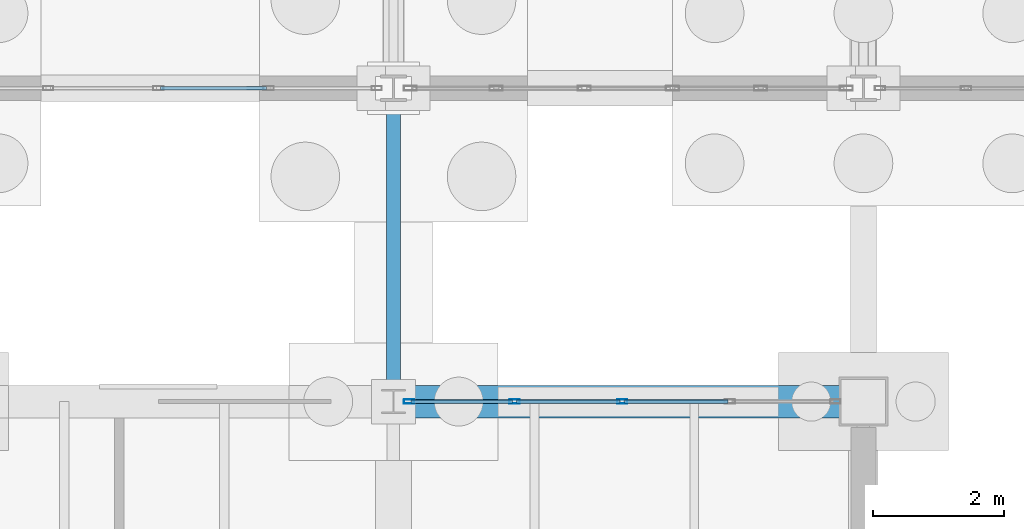
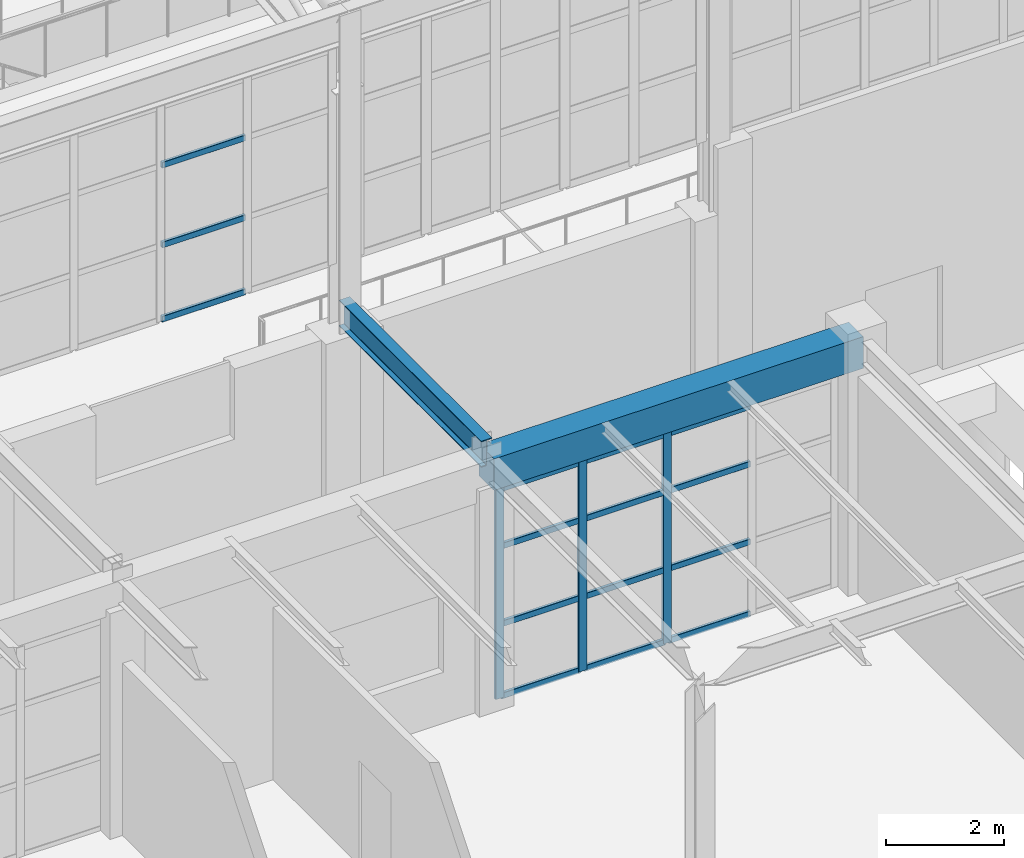
# One storey, part 110 of 293: 18 members, 2 beams, 2 elements without a shape of their own.
"""IFC4 building model written with IfcOpenShell, lengths in metres."""

from ifc_helpers import new_model, si_unit, direction, frame, origin, origin_2d, place, context, subcontext, project, spatial, rectangle, hollow_rectangle, i_section, extrude, material, layer, layer_set, material_profile, profile_set, type_object, element, aggregate, save


model = new_model("IFC4")

# Units and contexts
model_context = context("Model", 3, precision=1e-05, world=origin(), true_north=direction((0.0, 1.0)))
body_context = subcontext(model_context, "Body", "Model", "MODEL_VIEW")
ifc_project = project(units=[si_unit("LENGTHUNIT", "METRE"), si_unit("AREAUNIT", "SQUARE_METRE"), si_unit("VOLUMEUNIT", "CUBIC_METRE"), si_unit("PLANEANGLEUNIT", "RADIAN"), si_unit("MASSUNIT", "GRAM", prefix="KILO")], contexts=[model_context])

# Site, building, storey
site_placement = place(None, origin())
site = spatial("IfcSite", under=ifc_project, at=site_placement, CompositionType="ELEMENT")
building_placement = place(site_placement, origin())
building = spatial("IfcBuilding", under=site, at=building_placement, Name="Kemerveld Promenade Tramway Depot", CompositionType="ELEMENT")
storey_placement = place(building_placement, origin())
storey = spatial("IfcBuildingStorey", under=building, at=storey_placement, Name="L00", CompositionType="ELEMENT", Elevation=0.0)

# Beams
ifc_material_1 = material(Name="Steel S355", Category="steel")
ifc_material_profile_1 = material_profile(ifc_material_1, i_section(OverallWidth=0.2099609375, OverallDepth=0.53662109375, WebThickness=0.0107421875, FlangeThickness=0.017333984375, FilletRadius=0.0126953125, at=origin_2d()), Name="533x210x101 UB")
ifc_profile_set_1 = profile_set([ifc_material_profile_1], Name="Steel S355")
beam_type_1 = type_object("IfcBeamType", Name="BM-G05", PredefinedType="BEAM", material=ifc_profile_set_1)
beam_1_placement = place(storey_placement, frame((50.39990234375, 79.199951171875, 5.131591796875), z_axis=(0.0, 1.0, 0.0), x_axis=(-1.0, 0.0, 0.0)))
element("IfcBeam", 1, at=beam_1_placement, inside=storey, type_object=beam_type_1, Name="BM-LINK-08-MN", PredefinedType="BEAM", context=body_context, shape_type="SweptSolid", body=[
    extrude(i_section(OverallWidth=0.2099609375, OverallDepth=0.53662109375, WebThickness=0.0107421875, FlangeThickness=0.017333984375, FilletRadius=0.0126953125, at=origin_2d()), origin(), (0.0, 0.0, 1.0), 4.800048828125),
])
ifc_material_2 = material(Name="Concrete C40/50", Category="concrete")
ifc_material_profile_2 = material_profile(ifc_material_2, rectangle(XDim=0.5, YDim=0.64990234375, at=origin_2d()), Name="RC-PLINTH-500x650")
ifc_profile_set_2 = profile_set([ifc_material_profile_2], Name="Concrete C40/50")
beam_type_2 = type_object("IfcBeamType", Name="BM-PL1", PredefinedType="BEAM", material=ifc_profile_set_2)
beam_2_placement = place(storey_placement, frame((50.39990234375, 79.199951171875, 4.824951171875), z_axis=(1.0, 0.0, 0.0), x_axis=(0.0, 1.0, 0.0)))
element("IfcBeam", 2, at=beam_2_placement, inside=storey, type_object=beam_type_2, Name="BMX-L00-08-09-M", PredefinedType="BEAM", context=body_context, shape_type="SweptSolid", body=[
    extrude(rectangle(XDim=0.5, YDim=0.64990234375, at=origin_2d()), origin(), (0.0, 0.0, 1.0), 7.2001953125),
])

# Curtain wall, members
ifc_material_3 = material(Name="Bronze anodised aluminium and solar glass", Category="aluminium")
ifc_layer_1 = layer(ifc_material_3, 0.159912109375)
ifc_layer_set_1 = layer_set([ifc_layer_1], Name="CW-SYS-11")
curtain_wall_type_1 = type_object("IfcCurtainWallType", Name="CW-SYS-11", PredefinedType="USERDEFINED", material=ifc_layer_set_1)
curtain_wall_1_placement = place(storey_placement, origin())
curtain_wall_1 = element("IfcCurtainWall", 3, at=curtain_wall_1_placement, inside=storey, type_object=curtain_wall_type_1, Name="CW-L00-V5N-08", ObjectType="GLAZED_CURTAIN_WALL", PredefinedType="USERDEFINED")
ifc_material_4 = material(Name="Bronze anodised aluminium", Category="aluminium")
ifc_material_profile_3 = material_profile(ifc_material_4, hollow_rectangle(XDim=0.06494140625, YDim=0.159912109375, WallThickness=0.00390625, InnerFilletRadius=0.001953125, OuterFilletRadius=0.00390625, at=origin_2d()), Name="CW-MUL-160x65")
ifc_profile_set_3 = profile_set([ifc_material_profile_3], Name="Bronze anodised aluminium")
member_type_1 = type_object("IfcMemberType", Name="CW-MUL-A", PredefinedType="MULLION", material=ifc_profile_set_3)
member_1_placement = place(storey_placement, frame((50.638916015625, 79.199951171875, 0.0), z_axis=(0.0, 0.0, 1.0), x_axis=(0.0, 1.0, 0.0)))
member_1 = element("IfcMember", 4, at=member_1_placement, type_object=member_type_1, Name="CW11 mullion 1", PredefinedType="MULLION", context=body_context, shape_type="SweptSolid", body=[
    extrude(hollow_rectangle(XDim=0.06494140625, YDim=0.159912109375, WallThickness=0.00390625, InnerFilletRadius=0.001953125, OuterFilletRadius=0.00390625, at=origin_2d()), origin(), (0.0, 0.0, 1.0), 4.330078125),
])
member_2_placement = place(storey_placement, frame((52.255859375, 79.199951171875, 0.0), z_axis=(0.0, 0.0, 1.0), x_axis=(0.0, 1.0, 0.0)))
member_2 = element("IfcMember", 5, at=member_2_placement, type_object=member_type_1, Name="CW11 mullion 2", PredefinedType="MULLION", context=body_context, shape_type="SweptSolid", body=[
    extrude(hollow_rectangle(XDim=0.06494140625, YDim=0.159912109375, WallThickness=0.00390625, InnerFilletRadius=0.001953125, OuterFilletRadius=0.00390625, at=origin_2d()), origin(), (0.0, 0.0, 1.0), 4.330078125),
])
member_3_placement = place(storey_placement, frame((53.90576171875, 79.199951171875, 0.0), z_axis=(0.0, 0.0, 1.0), x_axis=(0.0, 1.0, 0.0)))
member_3 = element("IfcMember", 6, at=member_3_placement, type_object=member_type_1, Name="CW11 mullion 3", PredefinedType="MULLION", context=body_context, shape_type="SweptSolid", body=[
    extrude(hollow_rectangle(XDim=0.06494140625, YDim=0.159912109375, WallThickness=0.00390625, InnerFilletRadius=0.001953125, OuterFilletRadius=0.00390625, at=origin_2d()), origin(), (0.0, 0.0, 1.0), 4.330078125),
])

ifc_layer_2 = layer(ifc_material_3, 0.159912109375)
ifc_layer_set_2 = layer_set([ifc_layer_2], Name="CW-SYS-05")
curtain_wall_type_2 = type_object("IfcCurtainWallType", Name="CW-SYS-05", PredefinedType="USERDEFINED", material=ifc_layer_set_2)
curtain_wall_2_placement = place(storey_placement, origin())
curtain_wall_2 = element("IfcCurtainWall", 7, at=curtain_wall_2_placement, inside=storey, type_object=curtain_wall_type_2, Name="CW-V1-S-02", ObjectType="GLAZED_CURTAIN_WALL", PredefinedType="USERDEFINED")
ifc_material_profile_4 = material_profile(ifc_material_4, hollow_rectangle(XDim=0.06005859375, YDim=0.1201171875, WallThickness=0.00390625, InnerFilletRadius=0.001953125, OuterFilletRadius=0.00390625, at=origin_2d()), Name="CW-TRN-120x60")
ifc_profile_set_4 = profile_set([ifc_material_profile_4], Name="Bronze anodised aluminium")
member_type_2 = type_object("IfcMemberType", Name="CW-TRN-A", PredefinedType="USERDEFINED", material=ifc_profile_set_4)
member_4_placement = place(storey_placement, frame((48.455810546875, 84.0, 6.22998046875), z_axis=(-1.0, 0.0, 0.0), x_axis=(0.0, -1.0, 0.0)))
member_4 = element("IfcMember", 8, at=member_4_placement, type_object=member_type_2, Name="CW05 transom 2.1", ObjectType="TRANSOM", PredefinedType="USERDEFINED", context=body_context, shape_type="SweptSolid", body=[
    extrude(hollow_rectangle(XDim=0.06005859375, YDim=0.1201171875, WallThickness=0.00390625, InnerFilletRadius=0.001953125, OuterFilletRadius=0.00390625, at=origin_2d()), origin(), (0.0, 0.0, 1.0), 1.623291015625),
])
member_5_placement = place(storey_placement, frame((48.455810546875, 84.0, 7.758056640625), z_axis=(-1.0, 0.0, 0.0), x_axis=(0.0, -1.0, 0.0)))
member_5 = element("IfcMember", 9, at=member_5_placement, type_object=member_type_2, Name="CW05 transom 2.2", ObjectType="TRANSOM", PredefinedType="USERDEFINED", context=body_context, shape_type="SweptSolid", body=[
    extrude(hollow_rectangle(XDim=0.06005859375, YDim=0.1201171875, WallThickness=0.00390625, InnerFilletRadius=0.001953125, OuterFilletRadius=0.00390625, at=origin_2d()), origin(), (0.0, 0.0, 1.0), 1.623291015625),
])
member_6_placement = place(storey_placement, frame((48.455810546875, 84.0, 9.404052734375), z_axis=(-1.0, 0.0, 0.0), x_axis=(0.0, -1.0, 0.0)))
member_6 = element("IfcMember", 10, at=member_6_placement, type_object=member_type_2, Name="CW05 transom 2.3", ObjectType="TRANSOM", PredefinedType="USERDEFINED", context=body_context, shape_type="SweptSolid", body=[
    extrude(hollow_rectangle(XDim=0.06005859375, YDim=0.1201171875, WallThickness=0.00390625, InnerFilletRadius=0.001953125, OuterFilletRadius=0.00390625, at=origin_2d()), origin(), (0.0, 0.0, 1.0), 1.623291015625),
])
aggregate(curtain_wall_2, [member_4, member_5, member_6])

# Member
member_7_placement = place(storey_placement, frame((50.67138671875, 79.199951171875, 0.030029296875), z_axis=(1.0, 0.0, 0.0), x_axis=(0.0, 1.0, 0.0)))
member_7 = element("IfcMember", 11, at=member_7_placement, type_object=member_type_2, Name="CW11 transom 1.1", ObjectType="TRANSOM", PredefinedType="USERDEFINED", context=body_context, shape_type="SweptSolid", body=[
    extrude(hollow_rectangle(XDim=0.06005859375, YDim=0.1201171875, WallThickness=0.00390625, InnerFilletRadius=0.001953125, OuterFilletRadius=0.00390625, at=origin_2d()), origin(), (0.0, 0.0, 1.0), 1.552001953125),
])

member_8_placement = place(storey_placement, frame((50.67138671875, 79.199951171875, 1.514892578125), z_axis=(1.0, 0.0, 0.0), x_axis=(0.0, 1.0, 0.0)))
member_8 = element("IfcMember", 12, at=member_8_placement, type_object=member_type_2, Name="CW11 transom 1.2", ObjectType="TRANSOM", PredefinedType="USERDEFINED", context=body_context, shape_type="SweptSolid", body=[
    extrude(hollow_rectangle(XDim=0.06005859375, YDim=0.1201171875, WallThickness=0.00390625, InnerFilletRadius=0.001953125, OuterFilletRadius=0.00390625, at=origin_2d()), origin(), (0.0, 0.0, 1.0), 1.552001953125),
])

member_9_placement = place(storey_placement, frame((50.67138671875, 79.199951171875, 3.117919921875), z_axis=(1.0, 0.0, 0.0), x_axis=(0.0, 1.0, 0.0)))
member_9 = element("IfcMember", 13, at=member_9_placement, type_object=member_type_2, Name="CW11 transom 1.3", ObjectType="TRANSOM", PredefinedType="USERDEFINED", context=body_context, shape_type="SweptSolid", body=[
    extrude(hollow_rectangle(XDim=0.06005859375, YDim=0.1201171875, WallThickness=0.00390625, InnerFilletRadius=0.001953125, OuterFilletRadius=0.00390625, at=origin_2d()), origin(), (0.0, 0.0, 1.0), 1.552001953125),
])

member_10_placement = place(storey_placement, frame((50.67138671875, 79.199951171875, 4.300048828125), z_axis=(1.0, 0.0, 0.0), x_axis=(0.0, 1.0, 0.0)))
member_10 = element("IfcMember", 14, at=member_10_placement, type_object=member_type_2, Name="CW11 transom 1.4", ObjectType="TRANSOM", PredefinedType="USERDEFINED", context=body_context, shape_type="SweptSolid", body=[
    extrude(hollow_rectangle(XDim=0.06005859375, YDim=0.1201171875, WallThickness=0.00390625, InnerFilletRadius=0.001953125, OuterFilletRadius=0.00390625, at=origin_2d()), origin(), (0.0, 0.0, 1.0), 1.552001953125),
])

member_11_placement = place(storey_placement, frame((52.28857421875, 79.199951171875, 0.030029296875), z_axis=(1.0, 0.0, 0.0), x_axis=(0.0, 1.0, 0.0)))
member_11 = element("IfcMember", 15, at=member_11_placement, type_object=member_type_2, Name="CW11 transom 2.1", ObjectType="TRANSOM", PredefinedType="USERDEFINED", context=body_context, shape_type="SweptSolid", body=[
    extrude(hollow_rectangle(XDim=0.06005859375, YDim=0.1201171875, WallThickness=0.00390625, InnerFilletRadius=0.001953125, OuterFilletRadius=0.00390625, at=origin_2d()), origin(), (0.0, 0.0, 1.0), 1.58447265625),
])

member_12_placement = place(storey_placement, frame((52.28857421875, 79.199951171875, 1.514892578125), z_axis=(1.0, 0.0, 0.0), x_axis=(0.0, 1.0, 0.0)))
member_12 = element("IfcMember", 16, at=member_12_placement, type_object=member_type_2, Name="CW11 transom 2.2", ObjectType="TRANSOM", PredefinedType="USERDEFINED", context=body_context, shape_type="SweptSolid", body=[
    extrude(hollow_rectangle(XDim=0.06005859375, YDim=0.1201171875, WallThickness=0.00390625, InnerFilletRadius=0.001953125, OuterFilletRadius=0.00390625, at=origin_2d()), origin(), (0.0, 0.0, 1.0), 1.58447265625),
])

member_13_placement = place(storey_placement, frame((52.28857421875, 79.199951171875, 3.117919921875), z_axis=(1.0, 0.0, 0.0), x_axis=(0.0, 1.0, 0.0)))
member_13 = element("IfcMember", 17, at=member_13_placement, type_object=member_type_2, Name="CW11 transom 2.3", ObjectType="TRANSOM", PredefinedType="USERDEFINED", context=body_context, shape_type="SweptSolid", body=[
    extrude(hollow_rectangle(XDim=0.06005859375, YDim=0.1201171875, WallThickness=0.00390625, InnerFilletRadius=0.001953125, OuterFilletRadius=0.00390625, at=origin_2d()), origin(), (0.0, 0.0, 1.0), 1.58447265625),
])

member_14_placement = place(storey_placement, frame((52.28857421875, 79.199951171875, 4.300048828125), z_axis=(1.0, 0.0, 0.0), x_axis=(0.0, 1.0, 0.0)))
member_14 = element("IfcMember", 18, at=member_14_placement, type_object=member_type_2, Name="CW11 transom 2.4", ObjectType="TRANSOM", PredefinedType="USERDEFINED", context=body_context, shape_type="SweptSolid", body=[
    extrude(hollow_rectangle(XDim=0.06005859375, YDim=0.1201171875, WallThickness=0.00390625, InnerFilletRadius=0.001953125, OuterFilletRadius=0.00390625, at=origin_2d()), origin(), (0.0, 0.0, 1.0), 1.58447265625),
])

member_15_placement = place(storey_placement, frame((53.938232421875, 79.199951171875, 0.030029296875), z_axis=(1.0, 0.0, 0.0), x_axis=(0.0, 1.0, 0.0)))
member_15 = element("IfcMember", 19, at=member_15_placement, type_object=member_type_2, Name="CW11 transom 3.1", ObjectType="TRANSOM", PredefinedType="USERDEFINED", context=body_context, shape_type="SweptSolid", body=[
    extrude(hollow_rectangle(XDim=0.06005859375, YDim=0.1201171875, WallThickness=0.00390625, InnerFilletRadius=0.001953125, OuterFilletRadius=0.00390625, at=origin_2d()), origin(), (0.0, 0.0, 1.0), 1.58447265625),
])

member_16_placement = place(storey_placement, frame((53.938232421875, 79.199951171875, 1.514892578125), z_axis=(1.0, 0.0, 0.0), x_axis=(0.0, 1.0, 0.0)))
member_16 = element("IfcMember", 20, at=member_16_placement, type_object=member_type_2, Name="CW11 transom 3.2", ObjectType="TRANSOM", PredefinedType="USERDEFINED", context=body_context, shape_type="SweptSolid", body=[
    extrude(hollow_rectangle(XDim=0.06005859375, YDim=0.1201171875, WallThickness=0.00390625, InnerFilletRadius=0.001953125, OuterFilletRadius=0.00390625, at=origin_2d()), origin(), (0.0, 0.0, 1.0), 1.58447265625),
])

member_17_placement = place(storey_placement, frame((53.938232421875, 79.199951171875, 3.117919921875), z_axis=(1.0, 0.0, 0.0), x_axis=(0.0, 1.0, 0.0)))
member_17 = element("IfcMember", 21, at=member_17_placement, type_object=member_type_2, Name="CW11 transom 3.3", ObjectType="TRANSOM", PredefinedType="USERDEFINED", context=body_context, shape_type="SweptSolid", body=[
    extrude(hollow_rectangle(XDim=0.06005859375, YDim=0.1201171875, WallThickness=0.00390625, InnerFilletRadius=0.001953125, OuterFilletRadius=0.00390625, at=origin_2d()), origin(), (0.0, 0.0, 1.0), 1.58447265625),
])

member_18_placement = place(storey_placement, frame((53.938232421875, 79.199951171875, 4.300048828125), z_axis=(1.0, 0.0, 0.0), x_axis=(0.0, 1.0, 0.0)))
member_18 = element("IfcMember", 22, at=member_18_placement, type_object=member_type_2, Name="CW11 transom 3.4", ObjectType="TRANSOM", PredefinedType="USERDEFINED", context=body_context, shape_type="SweptSolid", body=[
    extrude(hollow_rectangle(XDim=0.06005859375, YDim=0.1201171875, WallThickness=0.00390625, InnerFilletRadius=0.001953125, OuterFilletRadius=0.00390625, at=origin_2d()), origin(), (0.0, 0.0, 1.0), 1.58447265625),
])

aggregate(curtain_wall_1, [member_1, member_2, member_3, member_7, member_8, member_9, member_10, member_11, member_12, member_13, member_14, member_15, member_16, member_17, member_18])

save(model, "model.ifc")
